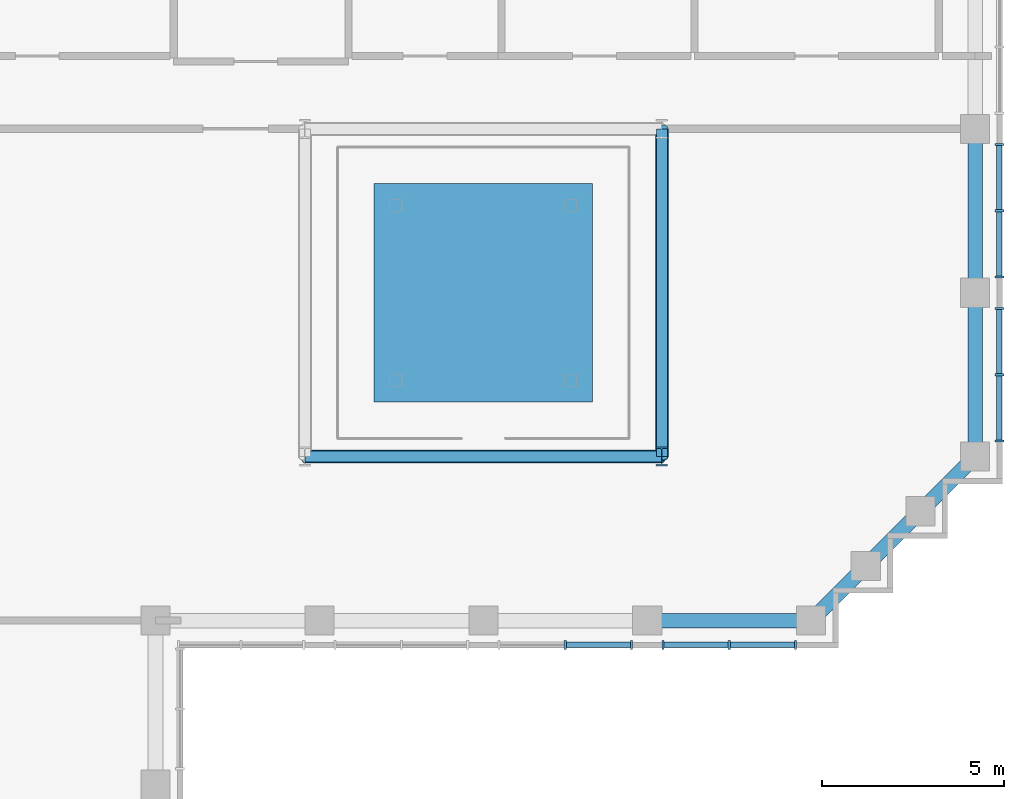
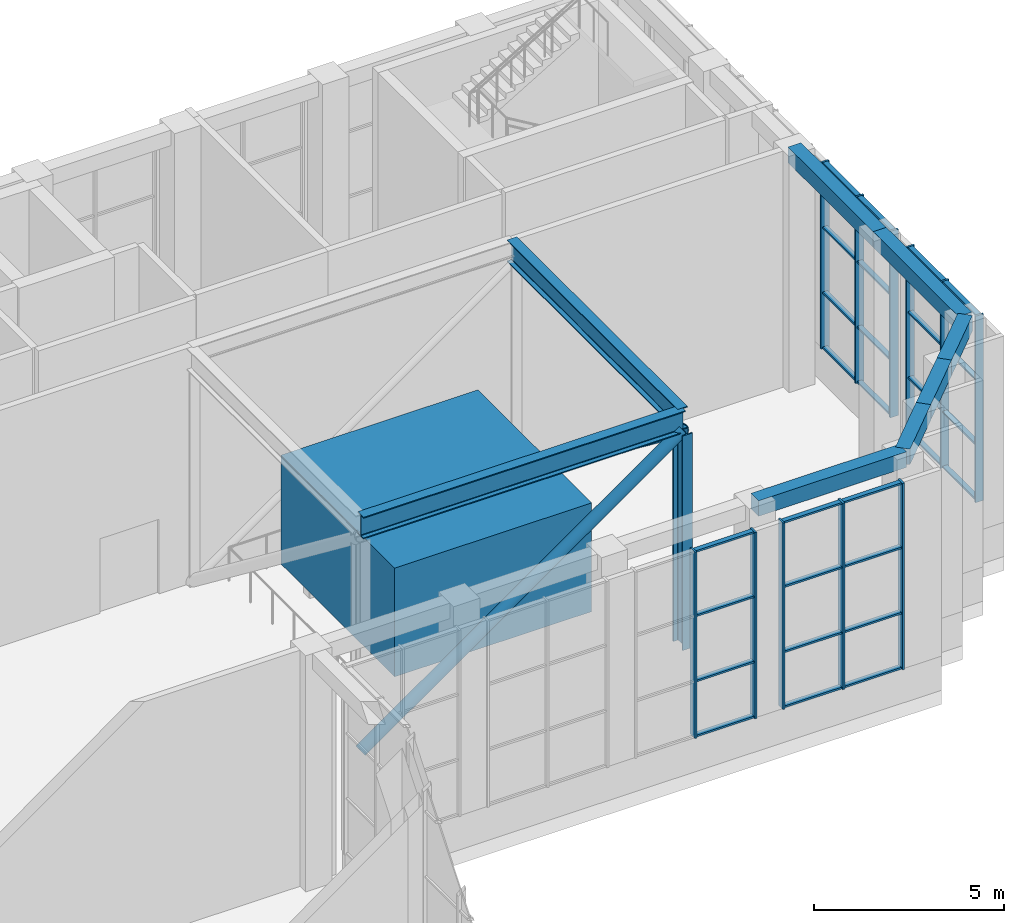
# One storey, part 5 of 17: 45 members, 6 beams, 4 elements without a shape of their own.
"""IFC4 building model written with IfcOpenShell, lengths in metres."""

from ifc_helpers import new_model, si_unit, direction, frame, origin, origin_2d, place, context, subcontext, project, spatial, rectangle, hollow_circle, i_section, extrude, material, material_profile, profile_set, type_object, element, aggregate, save


model = new_model("IFC4")

# Units and contexts
model_context = context("Model", 3, precision=1e-05, world=origin(), true_north=direction((0.0, 1.0)))
body_context = subcontext(model_context, "Body", "Model", "MODEL_VIEW")
ifc_project = project(units=[si_unit("LENGTHUNIT", "METRE"), si_unit("AREAUNIT", "SQUARE_METRE"), si_unit("VOLUMEUNIT", "CUBIC_METRE"), si_unit("PLANEANGLEUNIT", "RADIAN"), si_unit("MASSUNIT", "GRAM", prefix="KILO")], contexts=[model_context])

# Site, building, storey
site_placement = place(None, origin())
site = spatial("IfcSite", under=ifc_project, at=site_placement, CompositionType="ELEMENT")
building_placement = place(site_placement, origin())
building = spatial("IfcBuilding", under=site, at=building_placement, Name="Firuza Court", CompositionType="ELEMENT")
storey_placement = place(building_placement, frame((0.0, 0.0, 258.199951171875)))
storey = spatial("IfcBuildingStorey", under=building, at=storey_placement, Name="L67", CompositionType="ELEMENT", Elevation=258.199951171875)

# Members
ifc_material_1 = material(Name="Steel S355", Category="steel")
ifc_material_profile_1 = material_profile(ifc_material_1, i_section(OverallWidth=0.300048828125, OverallDepth=0.699951171875, WebThickness=0.01708984375, FlangeThickness=0.031982421875, FilletRadius=0.027099609375, at=origin_2d()), Name="HE 700 B")
ifc_profile_set_1 = profile_set([ifc_material_profile_1], Name="Steel S355")
member_type_1 = type_object("IfcMemberType", Name="Damper frame beam HE 700 B S355", PredefinedType="MEMBER", material=ifc_profile_set_1)
member_1_placement = place(storey_placement, frame((26.60009765625, 40.5, 7.25), z_axis=(1.0, 0.0, 0.0), x_axis=(0.0, 1.0, 0.0)))
element("IfcMember", 1, at=member_1_placement, inside=storey, type_object=member_type_1, Name="Damper frame beam TB1 L67", PredefinedType="MEMBER", context=body_context, shape_type="SweptSolid", body=[
    extrude(i_section(OverallWidth=0.300048828125, OverallDepth=0.699951171875, WebThickness=0.01708984375, FlangeThickness=0.031982421875, FilletRadius=0.027099609375, at=origin_2d()), origin(), (0.0, 0.0, 1.0), 9.7998046875),
])
member_2_placement = place(storey_placement, frame((36.39990234375, 40.5, 7.25), z_axis=(0.0, 1.0, 0.0), x_axis=(-1.0, 0.0, 0.0)))
element("IfcMember", 2, at=member_2_placement, inside=storey, type_object=member_type_1, Name="Damper frame beam TB1 L67", PredefinedType="MEMBER", context=body_context, shape_type="SweptSolid", body=[
    extrude(i_section(OverallWidth=0.300048828125, OverallDepth=0.699951171875, WebThickness=0.01708984375, FlangeThickness=0.031982421875, FilletRadius=0.027099609375, at=origin_2d()), origin(), (0.0, 0.0, 1.0), 9.0),
])
ifc_material_2 = material(Name="Steel S355", Category="steel")
ifc_material_profile_2 = material_profile(ifc_material_2, hollow_circle(Radius=0.177734375, WallThickness=0.01611328125, at=origin_2d()), Name="CHS 355.6x16")
ifc_profile_set_2 = profile_set([ifc_material_profile_2], Name="Steel S355")
member_type_2 = type_object("IfcMemberType", Name="Damper frame brace CHS 355.6x16 S355", PredefinedType="BRACE", material=ifc_profile_set_2)
member_3_placement = place(storey_placement, frame((26.60009765625, 40.5, 0.0), z_axis=(0.817649802044, 0.0, 0.575715903218), x_axis=(0.0, 1.0, 0.0)))
element("IfcMember", 3, at=member_3_placement, inside=storey, type_object=member_type_2, Name="Damper frame brace TV1 L67", PredefinedType="BRACE", context=body_context, shape_type="SweptSolid", body=[
    extrude(hollow_circle(Radius=0.177734375, WallThickness=0.01611328125, at=origin_2d()), origin(), (0.0, 0.0, 1.0), 11.9853515625),
])
member_4_placement = place(storey_placement, frame((36.39990234375, 49.5, 0.0), z_axis=(0.0, -0.79360012437, 0.608439678686), x_axis=(1.0, 0.0, 0.0)))
element("IfcMember", 4, at=member_4_placement, inside=storey, type_object=member_type_2, Name="Damper frame brace TV1 L67", PredefinedType="BRACE", context=body_context, shape_type="SweptSolid", body=[
    extrude(hollow_circle(Radius=0.177734375, WallThickness=0.01611328125, at=origin_2d()), origin(), (0.0, 0.0, 1.0), 11.3408203125),
])
ifc_material_3 = material(Name="Steel S355", Category="steel")
ifc_material_profile_3 = material_profile(ifc_material_3, i_section(OverallWidth=0.305908203125, OverallDepth=0.52392578125, WebThickness=0.02099609375, FlangeThickness=0.0400390625, FilletRadius=0.027099609375, at=origin_2d()), Name="HE 500 M")
ifc_profile_set_3 = profile_set([ifc_material_profile_3], Name="Steel S355")
member_type_3 = type_object("IfcMemberType", Name="Damper frame column HE 500 M S355", PredefinedType="POST", material=ifc_profile_set_3)
member_5_placement = place(storey_placement, frame((36.39990234375, 40.5, 0.0), z_axis=(0.0, 0.0, 1.0), x_axis=(1.0, 0.0, 0.0)))
element("IfcMember", 5, at=member_5_placement, inside=storey, type_object=member_type_3, Name="Damper frame column TF1 L67", PredefinedType="POST", context=body_context, shape_type="SweptSolid", body=[
    extrude(i_section(OverallWidth=0.305908203125, OverallDepth=0.52392578125, WebThickness=0.02099609375, FlangeThickness=0.0400390625, FilletRadius=0.027099609375, at=origin_2d()), origin(), (0.0, 0.0, 1.0), 6.900146484375),
])

# Curtain wall, members
ifc_material_4 = material(Name="Aluminium curtain wall, triple clear glazing", Category="aluminium")
curtain_wall_type = type_object("IfcCurtainWallType", Name="Damper hall structural glazing CW4", PredefinedType="NOTDEFINED", material=ifc_material_4)
curtain_wall_1_placement = place(storey_placement, origin())
curtain_wall_1 = element("IfcCurtainWall", 6, at=curtain_wall_1_placement, inside=storey, type_object=curtain_wall_type, Name="Damper hall structural glazing CW4 L67", PredefinedType="NOTDEFINED")
ifc_material_5 = material(Name="Aluminium EN AW-6060 T66", Category="aluminium")
ifc_material_profile_4 = material_profile(ifc_material_5, rectangle(XDim=0.25, YDim=0.06005859375, at=origin_2d()), Name="Mullion 250 x 60 CW4")
ifc_profile_set_4 = profile_set([ifc_material_profile_4], Name="Aluminium EN AW-6060 T66")
member_type_4 = type_object("IfcMemberType", Name="Mullion 250 x 60 CW4", PredefinedType="MULLION", material=ifc_profile_set_4)
member_6_placement = place(storey_placement, frame((33.75, 35.330078125, 1.10009765625), z_axis=(0.0, 0.0, 1.0), x_axis=(0.0, 1.0, 0.0)))
member_6 = element("IfcMember", 7, at=member_6_placement, type_object=member_type_4, Name="CW4 mullion 2", PredefinedType="MULLION", context=body_context, shape_type="SweptSolid", body=[
    extrude(rectangle(XDim=0.25, YDim=0.06005859375, at=origin_2d()), origin(), (0.0, 0.0, 1.0), 6.0),
])
member_7_placement = place(storey_placement, frame((35.570068359375, 35.330078125, 1.10009765625), z_axis=(0.0, 0.0, 1.0), x_axis=(0.0, 1.0, 0.0)))
member_7 = element("IfcMember", 8, at=member_7_placement, type_object=member_type_4, Name="CW4 mullion 3", PredefinedType="MULLION", context=body_context, shape_type="SweptSolid", body=[
    extrude(rectangle(XDim=0.25, YDim=0.06005859375, at=origin_2d()), origin(), (0.0, 0.0, 1.0), 6.0),
])

curtain_wall_2_placement = place(storey_placement, origin())
curtain_wall_2 = element("IfcCurtainWall", 9, at=curtain_wall_2_placement, inside=storey, type_object=curtain_wall_type, Name="Damper hall structural glazing CW4 L67", PredefinedType="NOTDEFINED")
member_8_placement = place(storey_placement, frame((36.429931640625, 35.330078125, 1.10009765625), z_axis=(0.0, 0.0, 1.0), x_axis=(0.0, 1.0, 0.0)))
member_8 = element("IfcMember", 10, at=member_8_placement, type_object=member_type_4, Name="CW4 mullion 1", PredefinedType="MULLION", context=body_context, shape_type="SweptSolid", body=[
    extrude(rectangle(XDim=0.25, YDim=0.06005859375, at=origin_2d()), origin(), (0.0, 0.0, 1.0), 6.0),
])
member_9_placement = place(storey_placement, frame((38.25, 35.330078125, 1.10009765625), z_axis=(0.0, 0.0, 1.0), x_axis=(0.0, 1.0, 0.0)))
member_9 = element("IfcMember", 11, at=member_9_placement, type_object=member_type_4, Name="CW4 mullion 2", PredefinedType="MULLION", context=body_context, shape_type="SweptSolid", body=[
    extrude(rectangle(XDim=0.25, YDim=0.06005859375, at=origin_2d()), origin(), (0.0, 0.0, 1.0), 6.0),
])
member_10_placement = place(storey_placement, frame((40.070068359375, 35.330078125, 1.10009765625), z_axis=(0.0, 0.0, 1.0), x_axis=(0.0, 1.0, 0.0)))
member_10 = element("IfcMember", 12, at=member_10_placement, type_object=member_type_4, Name="CW4 mullion 3", PredefinedType="MULLION", context=body_context, shape_type="SweptSolid", body=[
    extrude(rectangle(XDim=0.25, YDim=0.06005859375, at=origin_2d()), origin(), (0.0, 0.0, 1.0), 6.0),
])

curtain_wall_3_placement = place(storey_placement, origin())
curtain_wall_3 = element("IfcCurtainWall", 13, at=curtain_wall_3_placement, inside=storey, type_object=curtain_wall_type, Name="Damper hall structural glazing CW4 L67", PredefinedType="NOTDEFINED")
member_11_placement = place(storey_placement, frame((45.669921875, 40.929931640625, 1.10009765625), z_axis=(0.0, 0.0, 1.0), x_axis=(-1.0, 0.0, 0.0)))
member_11 = element("IfcMember", 14, at=member_11_placement, type_object=member_type_4, Name="CW4 mullion 1", PredefinedType="MULLION", context=body_context, shape_type="SweptSolid", body=[
    extrude(rectangle(XDim=0.25, YDim=0.06005859375, at=origin_2d()), origin(), (0.0, 0.0, 1.0), 6.0),
])
member_12_placement = place(storey_placement, frame((45.669921875, 42.75, 1.10009765625), z_axis=(0.0, 0.0, 1.0), x_axis=(-1.0, 0.0, 0.0)))
member_12 = element("IfcMember", 15, at=member_12_placement, type_object=member_type_4, Name="CW4 mullion 2", PredefinedType="MULLION", context=body_context, shape_type="SweptSolid", body=[
    extrude(rectangle(XDim=0.25, YDim=0.06005859375, at=origin_2d()), origin(), (0.0, 0.0, 1.0), 6.0),
])
member_13_placement = place(storey_placement, frame((45.669921875, 44.570068359375, 1.10009765625), z_axis=(0.0, 0.0, 1.0), x_axis=(-1.0, 0.0, 0.0)))
member_13 = element("IfcMember", 16, at=member_13_placement, type_object=member_type_4, Name="CW4 mullion 3", PredefinedType="MULLION", context=body_context, shape_type="SweptSolid", body=[
    extrude(rectangle(XDim=0.25, YDim=0.06005859375, at=origin_2d()), origin(), (0.0, 0.0, 1.0), 6.0),
])

curtain_wall_4_placement = place(storey_placement, origin())
curtain_wall_4 = element("IfcCurtainWall", 17, at=curtain_wall_4_placement, inside=storey, type_object=curtain_wall_type, Name="Damper hall structural glazing CW4 L67", PredefinedType="NOTDEFINED")
member_14_placement = place(storey_placement, frame((45.669921875, 45.429931640625, 1.10009765625), z_axis=(0.0, 0.0, 1.0), x_axis=(-1.0, 0.0, 0.0)))
member_14 = element("IfcMember", 18, at=member_14_placement, type_object=member_type_4, Name="CW4 mullion 1", PredefinedType="MULLION", context=body_context, shape_type="SweptSolid", body=[
    extrude(rectangle(XDim=0.25, YDim=0.06005859375, at=origin_2d()), origin(), (0.0, 0.0, 1.0), 6.0),
])
member_15_placement = place(storey_placement, frame((45.669921875, 47.25, 1.10009765625), z_axis=(0.0, 0.0, 1.0), x_axis=(-1.0, 0.0, 0.0)))
member_15 = element("IfcMember", 19, at=member_15_placement, type_object=member_type_4, Name="CW4 mullion 2", PredefinedType="MULLION", context=body_context, shape_type="SweptSolid", body=[
    extrude(rectangle(XDim=0.25, YDim=0.06005859375, at=origin_2d()), origin(), (0.0, 0.0, 1.0), 6.0),
])
member_16_placement = place(storey_placement, frame((45.669921875, 49.070068359375, 1.10009765625), z_axis=(0.0, 0.0, 1.0), x_axis=(-1.0, 0.0, 0.0)))
member_16 = element("IfcMember", 20, at=member_16_placement, type_object=member_type_4, Name="CW4 mullion 3", PredefinedType="MULLION", context=body_context, shape_type="SweptSolid", body=[
    extrude(rectangle(XDim=0.25, YDim=0.06005859375, at=origin_2d()), origin(), (0.0, 0.0, 1.0), 6.0),
])

# Beams
ifc_material_6 = material(Name="Concrete C40/50", Category="concrete")
ifc_material_profile_5 = material_profile(ifc_material_6, rectangle(XDim=0.39990234375, YDim=0.5, at=origin_2d()), Name="RC 400x500")
ifc_profile_set_5 = profile_set([ifc_material_profile_5], Name="Concrete C40/50")
beam_type = type_object("IfcBeamType", Name="Spandrel beam RC 400x500 C40/50", PredefinedType="BEAM", material=ifc_profile_set_5)
beam_placement = place(storey_placement, frame((36.0, 36.0, 7.35009765625), z_axis=(1.0, 0.0, 0.0), x_axis=(0.0, 1.0, 0.0)))
element("IfcBeam", 21, at=beam_placement, inside=storey, type_object=beam_type, Name="Spandrel beam SP18 level L68", PredefinedType="BEAM", context=body_context, shape_type="SweptSolid", body=[
    extrude(rectangle(XDim=0.39990234375, YDim=0.5, at=origin_2d()), origin(), (0.0, 0.0, 1.0), 4.5),
])
for number, where, z_axis, x_axis, name in (
    (22, (40.5, 36.0, 7.35009765625), (0.707106781187, 0.707106781187, 0.0), (-0.707106781187, 0.707106781187, 0.0), "Spandrel beam SP18 level L68"),
    (23, (42.0, 37.5, 7.35009765625), (0.707106781187, 0.707106781187, 0.0), (-0.707106781187, 0.707106781187, 0.0), "Spandrel beam SP18 level L68"),
    (24, (43.5, 39.0, 7.35009765625), (0.707106781187, 0.707106781187, 0.0), (-0.707106781187, 0.707106781187, 0.0), "Spandrel beam SP18 level L68"),
):
    element("IfcBeam", number, at=place(storey_placement, frame(where, z_axis=z_axis, x_axis=x_axis)), inside=storey, type_object=beam_type, Name=name, PredefinedType="BEAM", context=body_context, shape_type="SweptSolid", body=[
        extrude(rectangle(XDim=0.39990234375, YDim=0.5, at=origin_2d()), origin(), (0.0, 0.0, 1.0), 2.121337890625),
    ])
for number, where, z_axis, x_axis, name in (
    (25, (45.0, 40.5, 7.35009765625), (0.0, 1.0, 0.0), (-1.0, 0.0, 0.0), "Spandrel beam SP18 level L68"),
    (26, (45.0, 45.0, 7.35009765625), (0.0, 1.0, 0.0), (-1.0, 0.0, 0.0), "Spandrel beam SP18 level L68"),
):
    element("IfcBeam", number, at=place(storey_placement, frame(where, z_axis=z_axis, x_axis=x_axis)), inside=storey, type_object=beam_type, Name=name, PredefinedType="BEAM", context=body_context, shape_type="SweptSolid", body=[
        extrude(rectangle(XDim=0.39990234375, YDim=0.5, at=origin_2d()), origin(), (0.0, 0.0, 1.0), 4.5),
    ])

# Member
ifc_material_7 = material(Name="Aluminium EN AW-6060 T66", Category="aluminium")
ifc_material_profile_6 = material_profile(ifc_material_7, rectangle(XDim=0.14990234375, YDim=0.06005859375, at=origin_2d()), Name="Transom 150 x 60 CW4")
ifc_profile_set_6 = profile_set([ifc_material_profile_6], Name="Aluminium EN AW-6060 T66")
member_type_5 = type_object("IfcMemberType", Name="Transom 150 x 60 CW4", PredefinedType="USERDEFINED", material=ifc_profile_set_6)
member_17_placement = place(storey_placement, frame((33.780029296875, 35.330078125, 1.130126953125), z_axis=(1.0, 0.0, 0.0), x_axis=(0.0, 1.0, 0.0)))
member_17 = element("IfcMember", 27, at=member_17_placement, type_object=member_type_5, Name="CW4 transom 2.1", ObjectType="TRANSOM", PredefinedType="USERDEFINED", context=body_context, shape_type="SweptSolid", body=[
    extrude(rectangle(XDim=0.14990234375, YDim=0.06005859375, at=origin_2d()), origin(), (0.0, 0.0, 1.0), 1.760009765625),
])

member_18_placement = place(storey_placement, frame((33.780029296875, 35.330078125, 2.900146484375), z_axis=(1.0, 0.0, 0.0), x_axis=(0.0, 1.0, 0.0)))
member_18 = element("IfcMember", 28, at=member_18_placement, type_object=member_type_5, Name="CW4 transom 2.2", ObjectType="TRANSOM", PredefinedType="USERDEFINED", context=body_context, shape_type="SweptSolid", body=[
    extrude(rectangle(XDim=0.14990234375, YDim=0.06005859375, at=origin_2d()), origin(), (0.0, 0.0, 1.0), 1.760009765625),
])

member_19_placement = place(storey_placement, frame((33.780029296875, 35.330078125, 5.0), z_axis=(1.0, 0.0, 0.0), x_axis=(0.0, 1.0, 0.0)))
member_19 = element("IfcMember", 29, at=member_19_placement, type_object=member_type_5, Name="CW4 transom 2.3", ObjectType="TRANSOM", PredefinedType="USERDEFINED", context=body_context, shape_type="SweptSolid", body=[
    extrude(rectangle(XDim=0.14990234375, YDim=0.06005859375, at=origin_2d()), origin(), (0.0, 0.0, 1.0), 1.760009765625),
])

member_20_placement = place(storey_placement, frame((33.780029296875, 35.330078125, 7.070068359375), z_axis=(1.0, 0.0, 0.0), x_axis=(0.0, 1.0, 0.0)))
member_20 = element("IfcMember", 30, at=member_20_placement, type_object=member_type_5, Name="CW4 transom 2.4", ObjectType="TRANSOM", PredefinedType="USERDEFINED", context=body_context, shape_type="SweptSolid", body=[
    extrude(rectangle(XDim=0.14990234375, YDim=0.06005859375, at=origin_2d()), origin(), (0.0, 0.0, 1.0), 1.760009765625),
])

aggregate(curtain_wall_1, [member_6, member_7, member_17, member_18, member_19, member_20])

member_21_placement = place(storey_placement, frame((36.4599609375, 35.330078125, 1.130126953125), z_axis=(1.0, 0.0, 0.0), x_axis=(0.0, 1.0, 0.0)))
member_21 = element("IfcMember", 31, at=member_21_placement, type_object=member_type_5, Name="CW4 transom 1.1", ObjectType="TRANSOM", PredefinedType="USERDEFINED", context=body_context, shape_type="SweptSolid", body=[
    extrude(rectangle(XDim=0.14990234375, YDim=0.06005859375, at=origin_2d()), origin(), (0.0, 0.0, 1.0), 1.760009765625),
])

member_22_placement = place(storey_placement, frame((36.4599609375, 35.330078125, 2.900146484375), z_axis=(1.0, 0.0, 0.0), x_axis=(0.0, 1.0, 0.0)))
member_22 = element("IfcMember", 32, at=member_22_placement, type_object=member_type_5, Name="CW4 transom 1.2", ObjectType="TRANSOM", PredefinedType="USERDEFINED", context=body_context, shape_type="SweptSolid", body=[
    extrude(rectangle(XDim=0.14990234375, YDim=0.06005859375, at=origin_2d()), origin(), (0.0, 0.0, 1.0), 1.760009765625),
])

member_23_placement = place(storey_placement, frame((36.4599609375, 35.330078125, 5.0), z_axis=(1.0, 0.0, 0.0), x_axis=(0.0, 1.0, 0.0)))
member_23 = element("IfcMember", 33, at=member_23_placement, type_object=member_type_5, Name="CW4 transom 1.3", ObjectType="TRANSOM", PredefinedType="USERDEFINED", context=body_context, shape_type="SweptSolid", body=[
    extrude(rectangle(XDim=0.14990234375, YDim=0.06005859375, at=origin_2d()), origin(), (0.0, 0.0, 1.0), 1.760009765625),
])

member_24_placement = place(storey_placement, frame((36.4599609375, 35.330078125, 7.070068359375), z_axis=(1.0, 0.0, 0.0), x_axis=(0.0, 1.0, 0.0)))
member_24 = element("IfcMember", 34, at=member_24_placement, type_object=member_type_5, Name="CW4 transom 1.4", ObjectType="TRANSOM", PredefinedType="USERDEFINED", context=body_context, shape_type="SweptSolid", body=[
    extrude(rectangle(XDim=0.14990234375, YDim=0.06005859375, at=origin_2d()), origin(), (0.0, 0.0, 1.0), 1.760009765625),
])

member_25_placement = place(storey_placement, frame((38.280029296875, 35.330078125, 1.130126953125), z_axis=(1.0, 0.0, 0.0), x_axis=(0.0, 1.0, 0.0)))
member_25 = element("IfcMember", 35, at=member_25_placement, type_object=member_type_5, Name="CW4 transom 2.1", ObjectType="TRANSOM", PredefinedType="USERDEFINED", context=body_context, shape_type="SweptSolid", body=[
    extrude(rectangle(XDim=0.14990234375, YDim=0.06005859375, at=origin_2d()), origin(), (0.0, 0.0, 1.0), 1.760009765625),
])

member_26_placement = place(storey_placement, frame((38.280029296875, 35.330078125, 2.900146484375), z_axis=(1.0, 0.0, 0.0), x_axis=(0.0, 1.0, 0.0)))
member_26 = element("IfcMember", 36, at=member_26_placement, type_object=member_type_5, Name="CW4 transom 2.2", ObjectType="TRANSOM", PredefinedType="USERDEFINED", context=body_context, shape_type="SweptSolid", body=[
    extrude(rectangle(XDim=0.14990234375, YDim=0.06005859375, at=origin_2d()), origin(), (0.0, 0.0, 1.0), 1.760009765625),
])

member_27_placement = place(storey_placement, frame((38.280029296875, 35.330078125, 5.0), z_axis=(1.0, 0.0, 0.0), x_axis=(0.0, 1.0, 0.0)))
member_27 = element("IfcMember", 37, at=member_27_placement, type_object=member_type_5, Name="CW4 transom 2.3", ObjectType="TRANSOM", PredefinedType="USERDEFINED", context=body_context, shape_type="SweptSolid", body=[
    extrude(rectangle(XDim=0.14990234375, YDim=0.06005859375, at=origin_2d()), origin(), (0.0, 0.0, 1.0), 1.760009765625),
])

member_28_placement = place(storey_placement, frame((38.280029296875, 35.330078125, 7.070068359375), z_axis=(1.0, 0.0, 0.0), x_axis=(0.0, 1.0, 0.0)))
member_28 = element("IfcMember", 38, at=member_28_placement, type_object=member_type_5, Name="CW4 transom 2.4", ObjectType="TRANSOM", PredefinedType="USERDEFINED", context=body_context, shape_type="SweptSolid", body=[
    extrude(rectangle(XDim=0.14990234375, YDim=0.06005859375, at=origin_2d()), origin(), (0.0, 0.0, 1.0), 1.760009765625),
])

aggregate(curtain_wall_2, [member_8, member_9, member_10, member_21, member_22, member_23, member_24, member_25, member_26, member_27, member_28])

member_29_placement = place(storey_placement, frame((45.669921875, 40.9599609375, 1.130126953125), z_axis=(0.0, 1.0, 0.0), x_axis=(-1.0, 0.0, 0.0)))
member_29 = element("IfcMember", 39, at=member_29_placement, type_object=member_type_5, Name="CW4 transom 1.1", ObjectType="TRANSOM", PredefinedType="USERDEFINED", context=body_context, shape_type="SweptSolid", body=[
    extrude(rectangle(XDim=0.14990234375, YDim=0.06005859375, at=origin_2d()), origin(), (0.0, 0.0, 1.0), 1.760009765625),
])

member_30_placement = place(storey_placement, frame((45.669921875, 40.9599609375, 2.900146484375), z_axis=(0.0, 1.0, 0.0), x_axis=(-1.0, 0.0, 0.0)))
member_30 = element("IfcMember", 40, at=member_30_placement, type_object=member_type_5, Name="CW4 transom 1.2", ObjectType="TRANSOM", PredefinedType="USERDEFINED", context=body_context, shape_type="SweptSolid", body=[
    extrude(rectangle(XDim=0.14990234375, YDim=0.06005859375, at=origin_2d()), origin(), (0.0, 0.0, 1.0), 1.760009765625),
])

member_31_placement = place(storey_placement, frame((45.669921875, 40.9599609375, 5.0), z_axis=(0.0, 1.0, 0.0), x_axis=(-1.0, 0.0, 0.0)))
member_31 = element("IfcMember", 41, at=member_31_placement, type_object=member_type_5, Name="CW4 transom 1.3", ObjectType="TRANSOM", PredefinedType="USERDEFINED", context=body_context, shape_type="SweptSolid", body=[
    extrude(rectangle(XDim=0.14990234375, YDim=0.06005859375, at=origin_2d()), origin(), (0.0, 0.0, 1.0), 1.760009765625),
])

member_32_placement = place(storey_placement, frame((45.669921875, 40.9599609375, 7.070068359375), z_axis=(0.0, 1.0, 0.0), x_axis=(-1.0, 0.0, 0.0)))
member_32 = element("IfcMember", 42, at=member_32_placement, type_object=member_type_5, Name="CW4 transom 1.4", ObjectType="TRANSOM", PredefinedType="USERDEFINED", context=body_context, shape_type="SweptSolid", body=[
    extrude(rectangle(XDim=0.14990234375, YDim=0.06005859375, at=origin_2d()), origin(), (0.0, 0.0, 1.0), 1.760009765625),
])

member_33_placement = place(storey_placement, frame((45.669921875, 42.780029296875, 1.130126953125), z_axis=(0.0, 1.0, 0.0), x_axis=(-1.0, 0.0, 0.0)))
member_33 = element("IfcMember", 43, at=member_33_placement, type_object=member_type_5, Name="CW4 transom 2.1", ObjectType="TRANSOM", PredefinedType="USERDEFINED", context=body_context, shape_type="SweptSolid", body=[
    extrude(rectangle(XDim=0.14990234375, YDim=0.06005859375, at=origin_2d()), origin(), (0.0, 0.0, 1.0), 1.760009765625),
])

member_34_placement = place(storey_placement, frame((45.669921875, 42.780029296875, 2.900146484375), z_axis=(0.0, 1.0, 0.0), x_axis=(-1.0, 0.0, 0.0)))
member_34 = element("IfcMember", 44, at=member_34_placement, type_object=member_type_5, Name="CW4 transom 2.2", ObjectType="TRANSOM", PredefinedType="USERDEFINED", context=body_context, shape_type="SweptSolid", body=[
    extrude(rectangle(XDim=0.14990234375, YDim=0.06005859375, at=origin_2d()), origin(), (0.0, 0.0, 1.0), 1.760009765625),
])

member_35_placement = place(storey_placement, frame((45.669921875, 42.780029296875, 5.0), z_axis=(0.0, 1.0, 0.0), x_axis=(-1.0, 0.0, 0.0)))
member_35 = element("IfcMember", 45, at=member_35_placement, type_object=member_type_5, Name="CW4 transom 2.3", ObjectType="TRANSOM", PredefinedType="USERDEFINED", context=body_context, shape_type="SweptSolid", body=[
    extrude(rectangle(XDim=0.14990234375, YDim=0.06005859375, at=origin_2d()), origin(), (0.0, 0.0, 1.0), 1.760009765625),
])

member_36_placement = place(storey_placement, frame((45.669921875, 42.780029296875, 7.070068359375), z_axis=(0.0, 1.0, 0.0), x_axis=(-1.0, 0.0, 0.0)))
member_36 = element("IfcMember", 46, at=member_36_placement, type_object=member_type_5, Name="CW4 transom 2.4", ObjectType="TRANSOM", PredefinedType="USERDEFINED", context=body_context, shape_type="SweptSolid", body=[
    extrude(rectangle(XDim=0.14990234375, YDim=0.06005859375, at=origin_2d()), origin(), (0.0, 0.0, 1.0), 1.760009765625),
])

aggregate(curtain_wall_3, [member_11, member_12, member_13, member_29, member_30, member_31, member_32, member_33, member_34, member_35, member_36])

member_37_placement = place(storey_placement, frame((45.669921875, 45.4599609375, 1.130126953125), z_axis=(0.0, 1.0, 0.0), x_axis=(-1.0, 0.0, 0.0)))
member_37 = element("IfcMember", 47, at=member_37_placement, type_object=member_type_5, Name="CW4 transom 1.1", ObjectType="TRANSOM", PredefinedType="USERDEFINED", context=body_context, shape_type="SweptSolid", body=[
    extrude(rectangle(XDim=0.14990234375, YDim=0.06005859375, at=origin_2d()), origin(), (0.0, 0.0, 1.0), 1.760009765625),
])

member_38_placement = place(storey_placement, frame((45.669921875, 45.4599609375, 2.900146484375), z_axis=(0.0, 1.0, 0.0), x_axis=(-1.0, 0.0, 0.0)))
member_38 = element("IfcMember", 48, at=member_38_placement, type_object=member_type_5, Name="CW4 transom 1.2", ObjectType="TRANSOM", PredefinedType="USERDEFINED", context=body_context, shape_type="SweptSolid", body=[
    extrude(rectangle(XDim=0.14990234375, YDim=0.06005859375, at=origin_2d()), origin(), (0.0, 0.0, 1.0), 1.760009765625),
])

member_39_placement = place(storey_placement, frame((45.669921875, 45.4599609375, 5.0), z_axis=(0.0, 1.0, 0.0), x_axis=(-1.0, 0.0, 0.0)))
member_39 = element("IfcMember", 49, at=member_39_placement, type_object=member_type_5, Name="CW4 transom 1.3", ObjectType="TRANSOM", PredefinedType="USERDEFINED", context=body_context, shape_type="SweptSolid", body=[
    extrude(rectangle(XDim=0.14990234375, YDim=0.06005859375, at=origin_2d()), origin(), (0.0, 0.0, 1.0), 1.760009765625),
])

member_40_placement = place(storey_placement, frame((45.669921875, 45.4599609375, 7.070068359375), z_axis=(0.0, 1.0, 0.0), x_axis=(-1.0, 0.0, 0.0)))
member_40 = element("IfcMember", 50, at=member_40_placement, type_object=member_type_5, Name="CW4 transom 1.4", ObjectType="TRANSOM", PredefinedType="USERDEFINED", context=body_context, shape_type="SweptSolid", body=[
    extrude(rectangle(XDim=0.14990234375, YDim=0.06005859375, at=origin_2d()), origin(), (0.0, 0.0, 1.0), 1.760009765625),
])

member_41_placement = place(storey_placement, frame((45.669921875, 47.280029296875, 1.130126953125), z_axis=(0.0, 1.0, 0.0), x_axis=(-1.0, 0.0, 0.0)))
member_41 = element("IfcMember", 51, at=member_41_placement, type_object=member_type_5, Name="CW4 transom 2.1", ObjectType="TRANSOM", PredefinedType="USERDEFINED", context=body_context, shape_type="SweptSolid", body=[
    extrude(rectangle(XDim=0.14990234375, YDim=0.06005859375, at=origin_2d()), origin(), (0.0, 0.0, 1.0), 1.760009765625),
])

member_42_placement = place(storey_placement, frame((45.669921875, 47.280029296875, 2.900146484375), z_axis=(0.0, 1.0, 0.0), x_axis=(-1.0, 0.0, 0.0)))
member_42 = element("IfcMember", 52, at=member_42_placement, type_object=member_type_5, Name="CW4 transom 2.2", ObjectType="TRANSOM", PredefinedType="USERDEFINED", context=body_context, shape_type="SweptSolid", body=[
    extrude(rectangle(XDim=0.14990234375, YDim=0.06005859375, at=origin_2d()), origin(), (0.0, 0.0, 1.0), 1.760009765625),
])

member_43_placement = place(storey_placement, frame((45.669921875, 47.280029296875, 5.0), z_axis=(0.0, 1.0, 0.0), x_axis=(-1.0, 0.0, 0.0)))
member_43 = element("IfcMember", 53, at=member_43_placement, type_object=member_type_5, Name="CW4 transom 2.3", ObjectType="TRANSOM", PredefinedType="USERDEFINED", context=body_context, shape_type="SweptSolid", body=[
    extrude(rectangle(XDim=0.14990234375, YDim=0.06005859375, at=origin_2d()), origin(), (0.0, 0.0, 1.0), 1.760009765625),
])

member_44_placement = place(storey_placement, frame((45.669921875, 47.280029296875, 7.070068359375), z_axis=(0.0, 1.0, 0.0), x_axis=(-1.0, 0.0, 0.0)))
member_44 = element("IfcMember", 54, at=member_44_placement, type_object=member_type_5, Name="CW4 transom 2.4", ObjectType="TRANSOM", PredefinedType="USERDEFINED", context=body_context, shape_type="SweptSolid", body=[
    extrude(rectangle(XDim=0.14990234375, YDim=0.06005859375, at=origin_2d()), origin(), (0.0, 0.0, 1.0), 1.760009765625),
])

aggregate(curtain_wall_4, [member_14, member_15, member_16, member_37, member_38, member_39, member_40, member_41, member_42, member_43, member_44])

ifc_material_8 = material(Name="Concrete C40/50", Category="concrete")
ifc_material_profile_7 = material_profile(ifc_material_8, rectangle(XDim=6.0, YDim=6.0, at=origin_2d()), Name="RC 6000x6000")
ifc_profile_set_7 = profile_set([ifc_material_profile_7], Name="Concrete C40/50")
member_type_6 = type_object("IfcMemberType", Name="Tuned mass block RC 6000x6000 C40/50", PredefinedType="USERDEFINED", material=ifc_profile_set_7)
member_45_placement = place(storey_placement, frame((31.5, 45.0, 0.800048828125), z_axis=(0.0, 0.0, 1.0), x_axis=(1.0, 0.0, 0.0)))
element("IfcMember", 55, at=member_45_placement, inside=storey, type_object=member_type_6, Name="TMD pendulum mass", ObjectType="TMD MASS", PredefinedType="USERDEFINED", context=body_context, shape_type="SweptSolid", body=[
    extrude(rectangle(XDim=6.0, YDim=6.0, at=origin_2d()), origin(), (0.0, 0.0, 1.0), 3.5),
])

save(model, "model.ifc")
